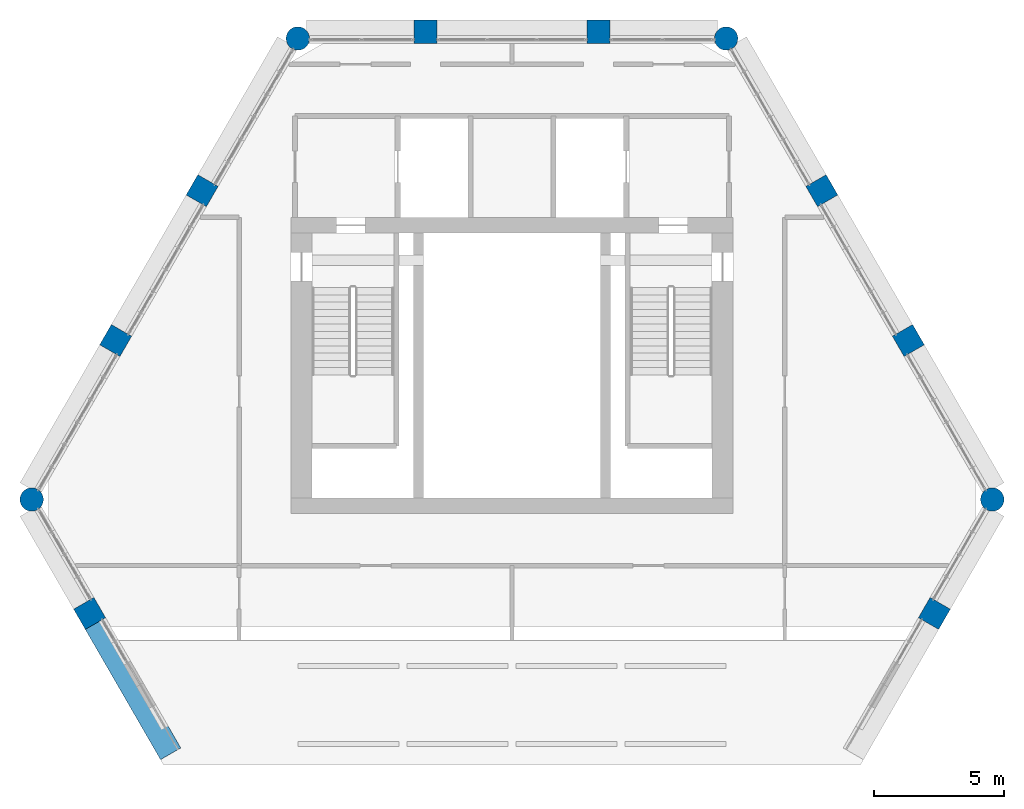
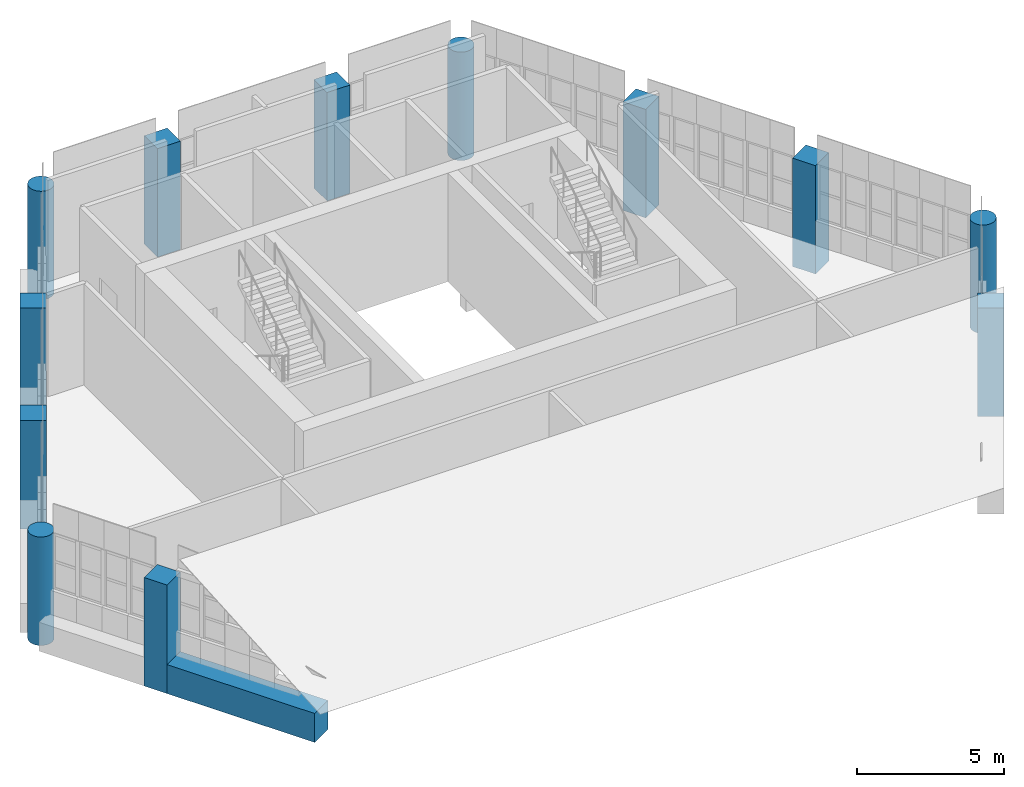
# One storey, part 1 of 23: 12 columns, 1 beam.
"""IFC4 building model written with IfcOpenShell, lengths in metres."""

from ifc_helpers import new_model, si_unit, direction, frame, origin, origin_2d, place, context, subcontext, project, spatial, rectangle, circle, extrude, material, material_profile, profile_set, type_object, element, save


model = new_model("IFC4")

# Units and contexts
model_context = context("Model", 3, precision=1e-05, world=origin(), true_north=direction((0.0, 1.0)))
body_context = subcontext(model_context, "Body", "Model", "MODEL_VIEW")
ifc_project = project(units=[si_unit("LENGTHUNIT", "METRE"), si_unit("AREAUNIT", "SQUARE_METRE"), si_unit("VOLUMEUNIT", "CUBIC_METRE"), si_unit("PLANEANGLEUNIT", "RADIAN"), si_unit("MASSUNIT", "GRAM", prefix="KILO")], contexts=[model_context])

# Site, building, storey
site_placement = place(None, origin())
site = spatial("IfcSite", under=ifc_project, at=site_placement, CompositionType="ELEMENT")
building_placement = place(site_placement, origin())
building = spatial("IfcBuilding", under=site, at=building_placement, Name="Ostrander Bayou Hotel Tower", CompositionType="ELEMENT")
storey_placement = place(building_placement, frame((0.0, 0.0, 279.5)))
storey = spatial("IfcBuildingStorey", under=building, at=storey_placement, Name="L69", CompositionType="ELEMENT", Elevation=279.5)

# Columns
ifc_material_1 = material(Name="Concrete f'c 60 MPa", Category="concrete")
ifc_material_profile_1 = material_profile(ifc_material_1, circle(Radius=0.449951171875, at=origin_2d()))
ifc_profile_set_1 = profile_set([ifc_material_profile_1], Name="Concrete f'c 60 MPa")
column_type_1 = type_object("IfcColumnType", Name="C7 round column 900 mm f'c 60 MPa", PredefinedType="COLUMN", material=ifc_profile_set_1)
for number, where, z_axis, x_axis, name in (
    (1, (-8.2421875, 16.588623046875, -1.199951171875), (0.0, 0.0, 1.0), (1.0, 0.0, 0.0), "C7 L69 K0"),
    (2, (-18.4873046875, -1.156494140625, -1.199951171875), (0.0, 0.0, 1.0), (1.0, 0.0, 0.0), "C7 L69 K1"),
    (3, (18.4873046875, -1.156494140625, -1.199951171875), (0.0, 0.0, 1.0), (1.0, 0.0, 0.0), "C7 L69 K4"),
    (4, (8.2421875, 16.588623046875, -1.199951171875), (0.0, 0.0, 1.0), (1.0, 0.0, 0.0), "C7 L69 K5"),
):
    element("IfcColumn", number, at=place(storey_placement, frame(where, z_axis=z_axis, x_axis=x_axis)), inside=storey, type_object=column_type_1, Name=name, PredefinedType="COLUMN", context=body_context, shape_type="SweptSolid", body=[
        extrude(circle(Radius=0.449951171875, at=origin_2d()), origin(), (0.0, 0.0, 1.0), 4.5),
    ])
ifc_material_2 = material(Name="Concrete f'c 60 MPa", Category="concrete")
ifc_material_profile_2 = material_profile(ifc_material_2, rectangle(XDim=0.89990234375, YDim=0.89990234375, at=origin_2d()))
ifc_profile_set_2 = profile_set([ifc_material_profile_2], Name="Concrete f'c 60 MPa")
column_type_2 = type_object("IfcColumnType", Name="C8 square column 900 x 900 mm f'c 60 MPa", PredefinedType="COLUMN", material=ifc_profile_set_2)
for number, where, z_axis, x_axis, name in (
    (5, (3.329345703125, 16.85009765625, -1.199951171875), (0.0, 0.0, 1.0), (1.0, 0.0, 0.0), "C8 L69 N1"),
    (6, (-3.329345703125, 16.85009765625, -1.199951171875), (0.0, 0.0, 1.0), (1.0, 0.0, 0.0), "C8 L69 N2"),
    (7, (-11.92626953125, 10.72998046875, -1.199951171875), (0.0, 0.0, 1.0), (0.5, 0.866025403784, 0.0), "C8 L69 NW1"),
    (8, (-15.255615234375, 4.96337890625, -1.199951171875), (0.0, 0.0, 1.0), (0.5, 0.866025403784, 0.0), "C8 L69 NW2"),
    (9, (-16.257080078125, -5.541748046875, -1.199951171875), (0.0, 0.0, 1.0), (-0.5, 0.866025403784, 0.0), "C8 L69 SW1"),
    (10, (16.257080078125, -5.541748046875, -1.199951171875), (0.0, 0.0, 1.0), (-0.5, -0.866025403784, 0.0), "C8 L69 SE2"),
    (11, (15.255615234375, 4.96337890625, -1.199951171875), (0.0, 0.0, 1.0), (0.5, -0.866025403784, 0.0), "C8 L69 NE1"),
    (12, (11.92626953125, 10.72998046875, -1.199951171875), (0.0, 0.0, 1.0), (0.5, -0.866025403784, 0.0), "C8 L69 NE2"),
):
    element("IfcColumn", number, at=place(storey_placement, frame(where, z_axis=z_axis, x_axis=x_axis)), inside=storey, type_object=column_type_2, Name=name, PredefinedType="COLUMN", context=body_context, shape_type="SweptSolid", body=[
        extrude(rectangle(XDim=0.89990234375, YDim=0.89990234375, at=origin_2d()), origin(), (0.0, 0.0, 1.0), 4.5),
    ])

# Beam
ifc_material_3 = material(Name="Concrete f'c 60 MPa", Category="concrete")
ifc_material_profile_3 = material_profile(ifc_material_3, rectangle(XDim=0.89990234375, YDim=1.199951171875, at=origin_2d()))
ifc_profile_set_3 = profile_set([ifc_material_profile_3], Name="Concrete f'c 60 MPa")
beam_type = type_object("IfcBeamType", Name="SP4 spandrel beam 900 x 1200 mm f'c 60 MPa", PredefinedType="SPANDREL", material=ifc_profile_set_3)
beam_placement = place(storey_placement, frame((-16.047119140625, -5.905517578125, -0.60009765625), z_axis=(0.500015433515, -0.866016493057, 0.0), x_axis=(0.866016493057, 0.500015433515, 0.0)))
element("IfcBeam", 13, at=beam_placement, inside=storey, type_object=beam_type, Name="SP4 L69 SW-2", PredefinedType="SPANDREL", context=body_context, shape_type="SweptSolid", body=[
    extrude(rectangle(XDim=0.89990234375, YDim=1.199951171875, at=origin_2d()), origin(), (0.0, 0.0, 1.0), 5.818603515625),
])

save(model, "model.ifc")
